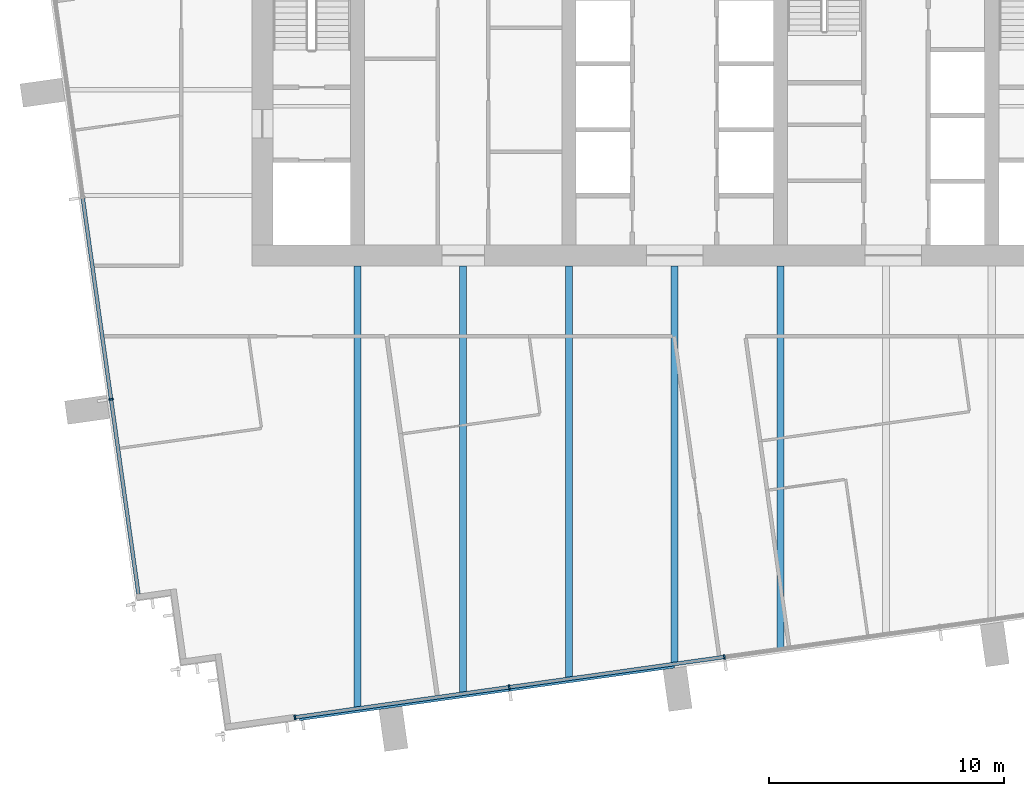
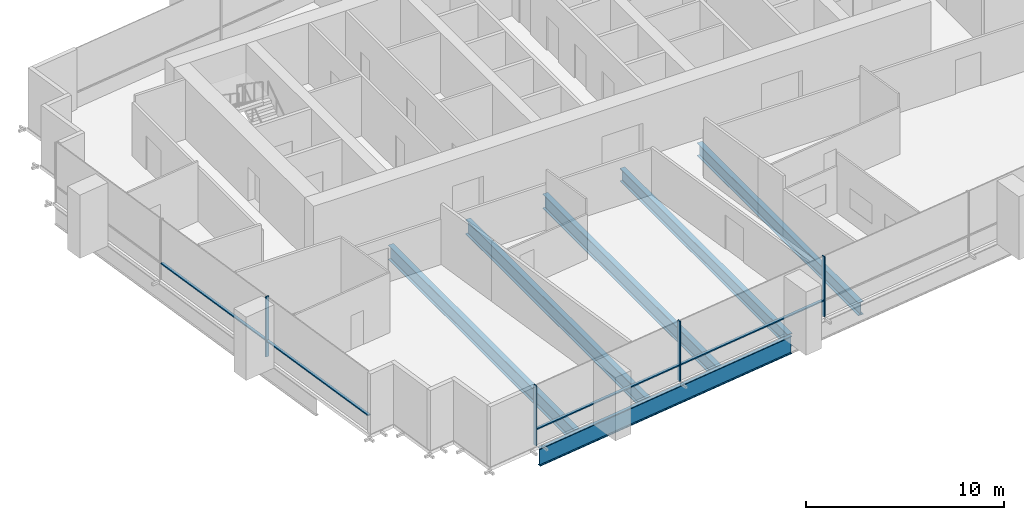
# One storey, part 2 of 12: 8 members, 6 beams, 2 elements without a shape of their own.
"""IFC4 building model written with IfcOpenShell, lengths in metres."""

from ifc_helpers import new_model, si_unit, direction, frame, origin, origin_2d, place, context, subcontext, project, spatial, rectangle, i_section, extrude, material, layer, layer_set, material_profile, profile_set, type_object, element, aggregate, save


model = new_model("IFC4")

# Units and contexts
model_context = context("Model", 3, precision=1e-05, world=origin(), true_north=direction((0.0, 1.0)))
body_context = subcontext(model_context, "Body", "Model", "MODEL_VIEW")
ifc_project = project(units=[si_unit("LENGTHUNIT", "METRE"), si_unit("AREAUNIT", "SQUARE_METRE"), si_unit("VOLUMEUNIT", "CUBIC_METRE"), si_unit("PLANEANGLEUNIT", "RADIAN"), si_unit("MASSUNIT", "GRAM", prefix="KILO")], contexts=[model_context])

# Site, building, storey
site_placement = place(None, origin())
site = spatial("IfcSite", under=ifc_project, at=site_placement, CompositionType="ELEMENT")
building_placement = place(site_placement, origin())
building = spatial("IfcBuilding", under=site, at=building_placement, Name="Rattan Terrace Tower", CompositionType="ELEMENT")
storey_placement = place(building_placement, frame((0.0, 0.0, 282.39990234375)))
storey = spatial("IfcBuildingStorey", under=building, at=storey_placement, Name="L65", CompositionType="ELEMENT", Elevation=282.39990234375)

# Beams
ifc_material_1 = material(Name="Steel S460", Category="steel")
ifc_material_profile_1 = material_profile(ifc_material_1, i_section(OverallWidth=0.179931640625, OverallDepth=1.10009765625, WebThickness=0.01611328125, FlangeThickness=0.050048828125, at=origin_2d()), Name="PG 1100x180-16-50")
ifc_profile_set_1 = profile_set([ifc_material_profile_1], Name="Steel S460")
beam_type_1 = type_object("IfcBeamType", Name="Frame edge girder PG 1100x180-16-50", PredefinedType="SPANDREL", material=ifc_profile_set_1)
beam_1_placement = place(storey_placement, frame((-15.969970703125, -26.77099609375, -0.75), z_axis=(0.990265456284, 0.139191688294, 0.0), x_axis=(-0.139191688294, 0.990265456284, 0.0)))
element("IfcBeam", 1, at=beam_1_placement, inside=storey, type_object=beam_type_1, Name="gdr-L65-001", PredefinedType="SPANDREL", context=body_context, shape_type="SweptSolid", body=[
    extrude(i_section(OverallWidth=0.179931640625, OverallDepth=1.10009765625, WebThickness=0.01611328125, FlangeThickness=0.050048828125, at=origin_2d()), origin(), (0.0, 0.0, 1.0), 16.114013671875),
])
ifc_material_2 = material(Name="Steel S355", Category="steel")
ifc_material_profile_2 = material_profile(ifc_material_2, i_section(OverallWidth=0.300048828125, OverallDepth=0.800048828125, WebThickness=0.017578125, FlangeThickness=0.032958984375, FilletRadius=0.030029296875, at=origin_2d()), Name="HE 800 B")
ifc_profile_set_2 = profile_set([ifc_material_profile_2], Name="Steel S355")
beam_type_2 = type_object("IfcBeamType", Name="Frame floor beam HE 800 B", PredefinedType="JOIST", material=ifc_profile_set_2)
beam_2_placement = place(storey_placement, frame((0.0, -24.4140625, -0.599853515625), z_axis=(0.0, 1.0, 0.0), x_axis=(-1.0, 0.0, 0.0)))
element("IfcBeam", 2, at=beam_2_placement, inside=storey, type_object=beam_type_2, Name="bm-L65-006", PredefinedType="JOIST", context=body_context, shape_type="SweptSolid", body=[
    extrude(i_section(OverallWidth=0.300048828125, OverallDepth=0.800048828125, WebThickness=0.017578125, FlangeThickness=0.032958984375, FilletRadius=0.030029296875, at=origin_2d()), origin(), (0.0, 0.0, 1.0), 16.9140625),
])
beam_3_placement = place(storey_placement, frame((4.5, -23.781982421875, -0.599853515625), z_axis=(0.0, 1.0, 0.0), x_axis=(-1.0, 0.0, 0.0)))
element("IfcBeam", 3, at=beam_3_placement, inside=storey, type_object=beam_type_2, Name="bm-L65-007", PredefinedType="JOIST", context=body_context, shape_type="SweptSolid", body=[
    extrude(i_section(OverallWidth=0.300048828125, OverallDepth=0.800048828125, WebThickness=0.017578125, FlangeThickness=0.032958984375, FilletRadius=0.030029296875, at=origin_2d()), origin(), (0.0, 0.0, 1.0), 16.281982421875),
])
ifc_material_3 = material(Name="Steel S355", Category="steel")
ifc_material_profile_3 = material_profile(ifc_material_3, i_section(OverallWidth=0.300048828125, OverallDepth=0.89990234375, WebThickness=0.0185546875, FlangeThickness=0.034912109375, FilletRadius=0.030029296875, at=origin_2d()), Name="HE 900 B")
ifc_profile_set_3 = profile_set([ifc_material_profile_3], Name="Steel S355")
beam_type_3 = type_object("IfcBeamType", Name="Frame floor beam HE 900 B", PredefinedType="JOIST", material=ifc_profile_set_3)
beam_4_placement = place(storey_placement, frame((-13.5, -26.31201171875, -0.64990234375), z_axis=(0.0, 1.0, 0.0), x_axis=(-1.0, 0.0, 0.0)))
element("IfcBeam", 4, at=beam_4_placement, inside=storey, type_object=beam_type_3, Name="bm-L65-003", PredefinedType="JOIST", context=body_context, shape_type="SweptSolid", body=[
    extrude(i_section(OverallWidth=0.300048828125, OverallDepth=0.89990234375, WebThickness=0.0185546875, FlangeThickness=0.034912109375, FilletRadius=0.030029296875, at=origin_2d()), origin(), (0.0, 0.0, 1.0), 18.81201171875),
])
beam_5_placement = place(storey_placement, frame((-9.0, -25.678955078125, -0.64990234375), z_axis=(0.0, 1.0, 0.0), x_axis=(-1.0, 0.0, 0.0)))
element("IfcBeam", 5, at=beam_5_placement, inside=storey, type_object=beam_type_3, Name="bm-L65-004", PredefinedType="JOIST", context=body_context, shape_type="SweptSolid", body=[
    extrude(i_section(OverallWidth=0.300048828125, OverallDepth=0.89990234375, WebThickness=0.0185546875, FlangeThickness=0.034912109375, FilletRadius=0.030029296875, at=origin_2d()), origin(), (0.0, 0.0, 1.0), 18.178955078125),
])
beam_6_placement = place(storey_placement, frame((-4.5, -25.047119140625, -0.64990234375), z_axis=(0.0, 1.0, 0.0), x_axis=(-1.0, 0.0, 0.0)))
element("IfcBeam", 6, at=beam_6_placement, inside=storey, type_object=beam_type_3, Name="bm-L65-005", PredefinedType="JOIST", context=body_context, shape_type="SweptSolid", body=[
    extrude(i_section(OverallWidth=0.300048828125, OverallDepth=0.89990234375, WebThickness=0.0185546875, FlangeThickness=0.034912109375, FilletRadius=0.030029296875, at=origin_2d()), origin(), (0.0, 0.0, 1.0), 17.547119140625),
])

# Curtain wall, member
ifc_material_4 = material(Name="Aluminium and laminated glass", Category="aluminium")
ifc_layer = layer(ifc_material_4, 0.199951171875)
ifc_layer_set = layer_set([ifc_layer], Name="High-Zone Unitised Curtain Wall")
curtain_wall_type = type_object("IfcCurtainWallType", Name="High-Zone Unitised Curtain Wall", PredefinedType="NOTDEFINED", material=ifc_layer_set)
curtain_wall_1_placement = place(storey_placement, origin())
curtain_wall_1 = element("IfcCurtainWall", 7, at=curtain_wall_1_placement, inside=storey, type_object=curtain_wall_type, Name="High-zone curtain wall L65-3", PredefinedType="NOTDEFINED")
ifc_material_5 = material(Name="Aluminium", Category="aluminium")
ifc_material_profile_4 = material_profile(ifc_material_5, rectangle(XDim=0.070068359375, YDim=0.199951171875, at=origin_2d()), Name="Aluminium 70x200")
ifc_profile_set_4 = profile_set([ifc_material_profile_4], Name="Aluminium")
member_type_1 = type_object("IfcMemberType", Name="High-Zone CW Mullion 70x200", PredefinedType="MULLION", material=ifc_profile_set_4)
member_1_placement = place(storey_placement, frame((-23.989990234375, -13.177490234375, 0.0), z_axis=(0.0, 0.0, 1.0), x_axis=(0.139191775431, -0.990265444036, 0.0)))
member_1 = element("IfcMember", 8, at=member_1_placement, type_object=member_type_1, Name="Mullion cwl-L65-003.3", PredefinedType="MULLION", context=body_context, shape_type="SweptSolid", body=[
    extrude(rectangle(XDim=0.070068359375, YDim=0.199951171875, at=origin_2d()), origin(), (0.0, 0.0, 1.0), 3.7001953125),
])

# Curtain wall, members
curtain_wall_2_placement = place(storey_placement, origin())
curtain_wall_2 = element("IfcCurtainWall", 9, at=curtain_wall_2_placement, inside=storey, type_object=curtain_wall_type, Name="High-zone curtain wall L65-4", PredefinedType="NOTDEFINED")
member_2_placement = place(storey_placement, frame((-16.1650390625, -26.716796875, 0.0), z_axis=(0.0, 0.0, 1.0), x_axis=(0.990265894013, 0.139188574079, 0.0)))
member_2 = element("IfcMember", 10, at=member_2_placement, type_object=member_type_1, Name="Mullion cwl-L65-004.1", PredefinedType="MULLION", context=body_context, shape_type="SweptSolid", body=[
    extrude(rectangle(XDim=0.070068359375, YDim=0.199951171875, at=origin_2d()), origin(), (0.0, 0.0, 1.0), 3.7001953125),
])
member_3_placement = place(storey_placement, frame((-7.040771484375, -25.434326171875, 0.0), z_axis=(0.0, 0.0, 1.0), x_axis=(0.990265894013, 0.139188574079, 0.0)))
member_3 = element("IfcMember", 11, at=member_3_placement, type_object=member_type_1, Name="Mullion cwl-L65-004.2", PredefinedType="MULLION", context=body_context, shape_type="SweptSolid", body=[
    extrude(rectangle(XDim=0.070068359375, YDim=0.199951171875, at=origin_2d()), origin(), (0.0, 0.0, 1.0), 3.7001953125),
])
member_4_placement = place(storey_placement, frame((2.1181640625, -24.14697265625, 0.0), z_axis=(0.0, 0.0, 1.0), x_axis=(0.990265894013, 0.139188574079, 0.0)))
member_4 = element("IfcMember", 12, at=member_4_placement, type_object=member_type_1, Name="Mullion cwl-L65-004.3", PredefinedType="MULLION", context=body_context, shape_type="SweptSolid", body=[
    extrude(rectangle(XDim=0.070068359375, YDim=0.199951171875, at=origin_2d()), origin(), (0.0, 0.0, 1.0), 3.7001953125),
])

# Member
ifc_material_6 = material(Name="Aluminium", Category="aluminium")
ifc_material_profile_5 = material_profile(ifc_material_6, rectangle(XDim=0.159912109375, YDim=0.070068359375, at=origin_2d()), Name="Aluminium 160x70")
ifc_profile_set_5 = profile_set([ifc_material_profile_5], Name="Aluminium")
member_type_2 = type_object("IfcMemberType", Name="High-Zone CW Transom 160x70", PredefinedType="USERDEFINED", material=ifc_profile_set_5)
member_5_placement = place(storey_placement, frame((-25.19140625, -4.629638671875, 1.0), z_axis=(0.139182599995, -0.990266733693, 0.0), x_axis=(0.990266733693, 0.139182599995, 0.0)))
member_5 = element("IfcMember", 13, at=member_5_placement, type_object=member_type_2, Name="Transom cwl-L65-003.2", ObjectType="TRANSOM", PredefinedType="USERDEFINED", context=body_context, shape_type="SweptSolid", body=[
    extrude(rectangle(XDim=0.159912109375, YDim=0.070068359375, at=origin_2d()), origin(), (0.0, 0.0, 1.0), 8.596923828125),
])

member_6_placement = place(storey_placement, frame((-23.985107421875, -13.212158203125, 1.0), z_axis=(0.139198740199, -0.990264465043, 0.0), x_axis=(0.990264465043, 0.139198740199, 0.0)))
member_6 = element("IfcMember", 14, at=member_6_placement, type_object=member_type_2, Name="Transom cwl-L65-003.3", ObjectType="TRANSOM", PredefinedType="USERDEFINED", context=body_context, shape_type="SweptSolid", body=[
    extrude(rectangle(XDim=0.159912109375, YDim=0.070068359375, at=origin_2d()), origin(), (0.0, 0.0, 1.0), 8.336181640625),
])

aggregate(curtain_wall_1, [member_1, member_5, member_6])

member_7_placement = place(storey_placement, frame((-16.13037109375, -26.7119140625, 1.0), z_axis=(0.990266298783, 0.139185694291, 0.0), x_axis=(-0.139185694291, 0.990266298783, 0.0)))
member_7 = element("IfcMember", 15, at=member_7_placement, type_object=member_type_2, Name="Transom cwl-L65-004.1", ObjectType="TRANSOM", PredefinedType="USERDEFINED", context=body_context, shape_type="SweptSolid", body=[
    extrude(rectangle(XDim=0.159912109375, YDim=0.070068359375, at=origin_2d()), origin(), (0.0, 0.0, 1.0), 9.14404296875),
])

member_8_placement = place(storey_placement, frame((-7.006103515625, -25.429443359375, 1.0), z_axis=(0.990266147156, 0.139186773067, 0.0), x_axis=(-0.139186773067, 0.990266147156, 0.0)))
member_8 = element("IfcMember", 16, at=member_8_placement, type_object=member_type_2, Name="Transom cwl-L65-004.2", ObjectType="TRANSOM", PredefinedType="USERDEFINED", context=body_context, shape_type="SweptSolid", body=[
    extrude(rectangle(XDim=0.159912109375, YDim=0.070068359375, at=origin_2d()), origin(), (0.0, 0.0, 1.0), 9.178955078125),
])

aggregate(curtain_wall_2, [member_2, member_3, member_4, member_7, member_8])

save(model, "model.ifc")
